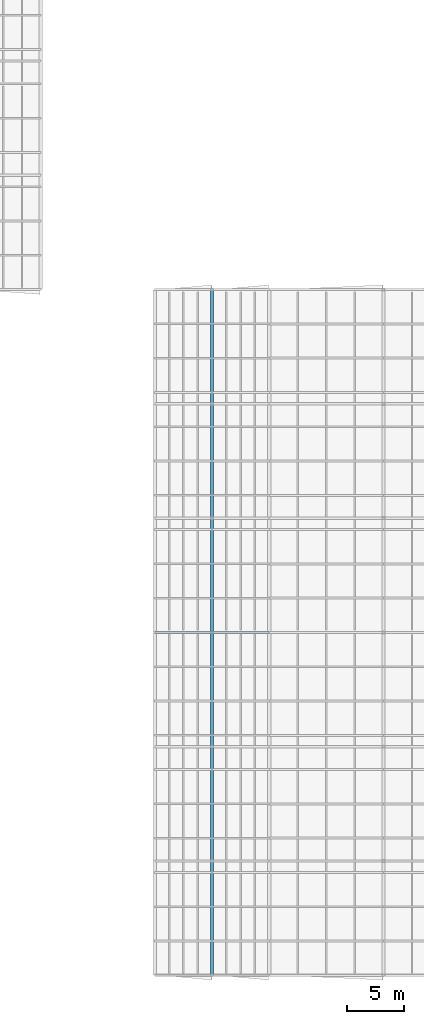
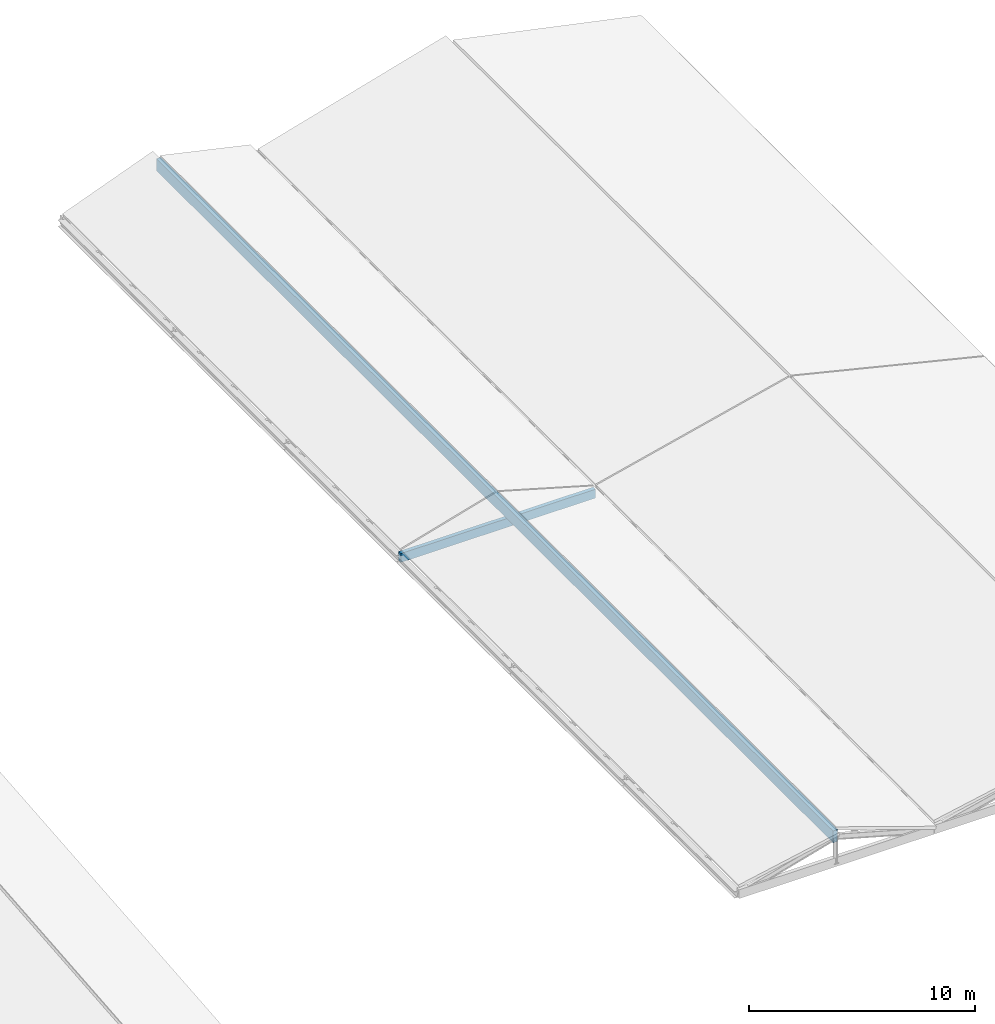
# One storey, part 58 of 90: 2 beams.
"""IFC4 building model written with IfcOpenShell, lengths in metres."""

from ifc_helpers import new_model, si_unit, direction, frame, origin, origin_2d, place, context, subcontext, project, spatial, rectangle, extrude, material, material_profile, profile_set, type_object, element, save


model = new_model("IFC4")

# Units and contexts
model_context = context("Model", 3, precision=1e-05, world=origin(), true_north=direction((0.0, 1.0)))
body_context = subcontext(model_context, "Body", "Model", "MODEL_VIEW")
ifc_project = project(units=[si_unit("LENGTHUNIT", "METRE"), si_unit("AREAUNIT", "SQUARE_METRE"), si_unit("VOLUMEUNIT", "CUBIC_METRE"), si_unit("PLANEANGLEUNIT", "RADIAN"), si_unit("MASSUNIT", "GRAM", prefix="KILO"), si_unit("THERMODYNAMICTEMPERATUREUNIT", "KELVIN"), si_unit("POWERUNIT", "WATT")], contexts=[model_context])

# Site, building, storey
site_placement = place(None, origin())
site = spatial("IfcSite", under=ifc_project, at=site_placement, CompositionType="ELEMENT")
building_placement = place(site_placement, origin())
building = spatial("IfcBuilding", under=site, at=building_placement, Name="Korenveer Ferry Terminal", CompositionType="ELEMENT")
storey_placement = place(building_placement, frame((0.0, 0.0, 22.199951171875)))
storey = spatial("IfcBuildingStorey", under=building, at=storey_placement, Name="RF", CompositionType="ELEMENT", Elevation=22.199951171875)

# Beams
ifc_material = material(Name="Glulam GL28h", Category="wood")
ifc_material_profile_1 = material_profile(ifc_material, rectangle(XDim=0.199951171875, YDim=0.47998046875, at=origin_2d()), Name="GL 200x480")
ifc_profile_set_1 = profile_set([ifc_material_profile_1], Name="Glulam GL28h")
beam_type_1 = type_object("IfcBeamType", Name="STR-RFG-GL200", PredefinedType="USERDEFINED", material=ifc_profile_set_1)
beam_1_placement = place(storey_placement, frame((146.02001953125, 50.0, -7.56005859375), z_axis=(1.0, 0.0, 0.0), x_axis=(0.0, 1.0, 0.0)))
element("IfcBeam", 1, at=beam_1_placement, inside=storey, type_object=beam_type_1, Name="Wing roof collar tie EASTC 168", ObjectType="ROOF GIRDER", PredefinedType="USERDEFINED", context=body_context, shape_type="SweptSolid", body=[
    extrude(rectangle(XDim=0.199951171875, YDim=0.47998046875, at=origin_2d()), origin(), (0.0, 0.0, 1.0), 9.9599609375),
])
ifc_material_profile_2 = material_profile(ifc_material, rectangle(XDim=0.239990234375, YDim=0.639892578125, at=origin_2d()), Name="GL 240x640")
ifc_profile_set_2 = profile_set([ifc_material_profile_2], Name="Glulam GL28h")
beam_type_2 = type_object("IfcBeamType", Name="STR-RFG-GL240D", PredefinedType="USERDEFINED", material=ifc_profile_set_2)
beam_2_placement = place(storey_placement, frame((151.0, 20.0, -6.219970703125), z_axis=(0.0, 1.0, 0.0), x_axis=(-1.0, 0.0, 0.0)))
element("IfcBeam", 2, at=beam_2_placement, inside=storey, type_object=beam_type_2, Name="Wing roof glulam ridge beam EASTC", ObjectType="ROOF GIRDER", PredefinedType="USERDEFINED", context=body_context, shape_type="SweptSolid", body=[
    extrude(rectangle(XDim=0.239990234375, YDim=0.639892578125, at=origin_2d()), origin(), (0.0, 0.0, 1.0), 60.0),
])

save(model, "model.ifc")
